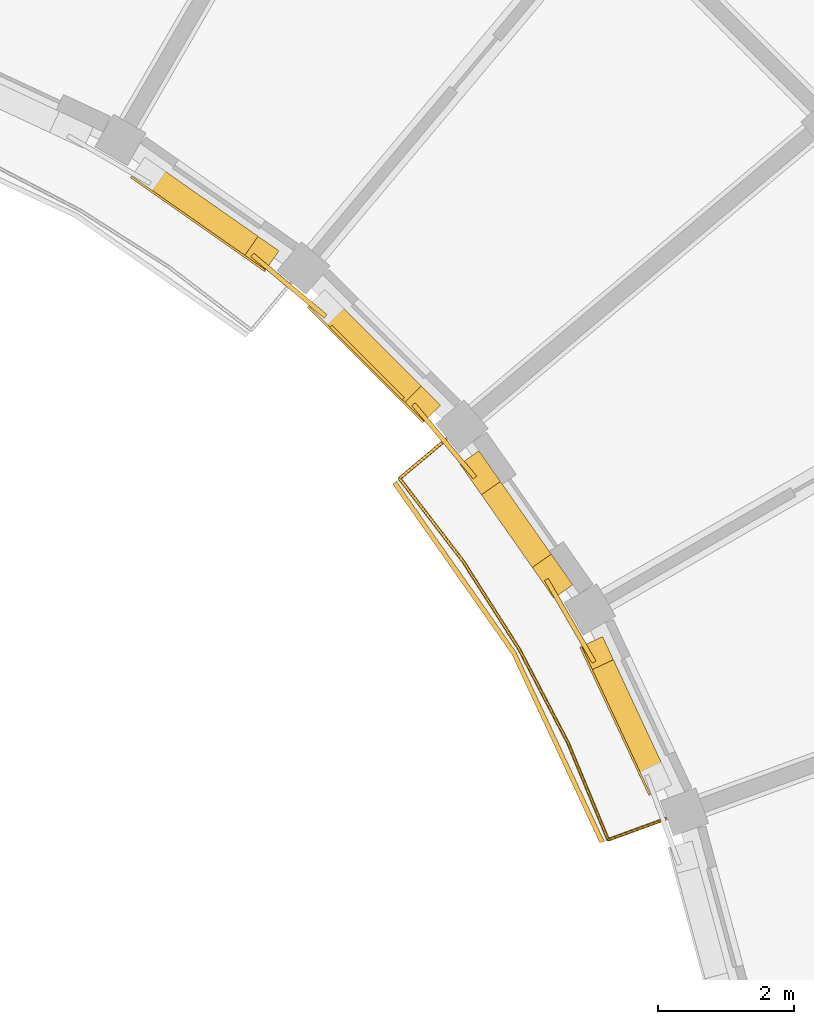
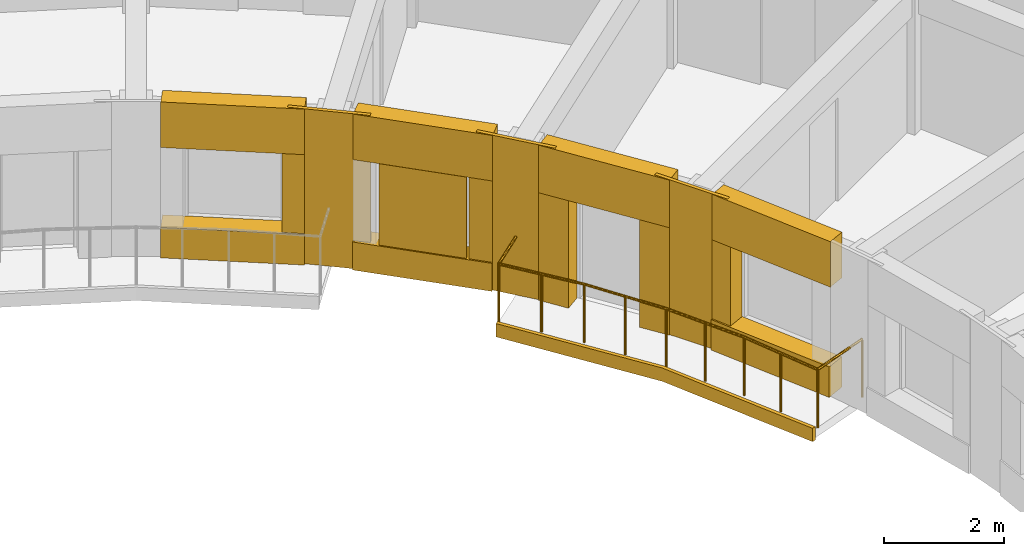
# One storey, part 51 of 53: 16 coverings, 1 railing, 1 shading device.
"""IFC4 building model written with IfcOpenShell, lengths in metres."""

from ifc_helpers import new_model, si_unit, direction, frame, origin, origin_2d, place, context, subcontext, project, spatial, polyline, rectangle, circle, outline, extrude, material, layer, layer_set, type_object, element, save


model = new_model("IFC4")

# Units and contexts
model_context = context("Model", 3, precision=1e-05, world=origin(), true_north=direction((0.0, 1.0)))
body_context = subcontext(model_context, "Body", "Model", "MODEL_VIEW")
ifc_project = project(units=[si_unit("LENGTHUNIT", "METRE"), si_unit("AREAUNIT", "SQUARE_METRE"), si_unit("VOLUMEUNIT", "CUBIC_METRE"), si_unit("PLANEANGLEUNIT", "RADIAN"), si_unit("MASSUNIT", "GRAM", prefix="KILO")], contexts=[model_context])

# Site, building, storey
site_placement = place(None, origin())
site = spatial("IfcSite", under=ifc_project, at=site_placement, CompositionType="ELEMENT")
building_placement = place(site_placement, origin())
building = spatial("IfcBuilding", under=site, at=building_placement, Name="Kiranvali Square Residences", CompositionType="ELEMENT")
storey_placement = place(building_placement, frame((0.0, 0.0, 30.75)))
storey = spatial("IfcBuildingStorey", under=building, at=storey_placement, Name="L09", CompositionType="ELEMENT", Elevation=30.75)

# Coverings
ifc_material_1 = material(Name="Carved Porbandar limestone classical entablature and cornice", Category="masonry")
ifc_layer_1 = layer(ifc_material_1, 0.06201171875)
ifc_layer_set_1 = layer_set([ifc_layer_1], Name="Carved Porbandar limestone classical entablature and cornice")
covering_type_1 = type_object("IfcCoveringType", Name="COV-CLAD-GBAL", PredefinedType="CLADDING", material=ifc_layer_set_1)
covering_1_placement = place(storey_placement, frame((0.0, 0.0, -0.219970703125)))
element("IfcCovering", 1, at=covering_1_placement, inside=storey, type_object=covering_type_1, Name="Block B L09 garden balcony limestone fascia 2", PredefinedType="CLADDING", context=body_context, shape_type="SweptSolid", body=[
    extrude(outline(polyline([(133.1904296875, 99.035888671875), (134.938232421875, 96.5400390625), (136.225830078125, 93.778564453125), (136.289794921875, 93.8017578125), (134.9970703125, 96.573974609375), (133.242431640625, 99.07958984375), (133.1904296875, 99.035888671875)])), origin(), (0.0, 0.0, 1.0), 0.27001953125),
])
ifc_material_2 = material(Name="Honed Porbandar limestone ashlar facade cladding", Category="masonry")
ifc_layer_2 = layer(ifc_material_2, 0.3798828125)
ifc_layer_set_2 = layer_set([ifc_layer_2], Name="Honed Porbandar limestone ashlar facade cladding")
covering_type_2 = type_object("IfcCoveringType", Name="COV-CLAD-JAMB", PredefinedType="CLADDING", material=ifc_layer_set_2)
covering_2_placement = place(storey_placement, frame((0.0, 0.0, 0.6220703125)))
element("IfcCovering", 2, at=covering_2_placement, inside=storey, type_object=covering_type_2, Name="L09 deep limestone window jamb reveal B-L09-GDN-03.R", PredefinedType="CLADDING", context=body_context, shape_type="SweptSolid", body=[
    extrude(outline(polyline([(131.02294921875, 102.3896484375), (131.328857421875, 102.175537109375), (131.523681640625, 102.45361328125), (131.2177734375, 102.66796875), (131.02294921875, 102.3896484375)])), origin(), (0.0, 0.0, 1.0), 1.599853515625),
])
covering_3_placement = place(storey_placement, frame((0.0, 0.0, 0.572021484375)))
element("IfcCovering", 3, at=covering_3_placement, inside=storey, type_object=covering_type_2, Name="L09 deep limestone window jamb reveal B-L09-GDN-04.R", PredefinedType="CLADDING", context=body_context, shape_type="SweptSolid", body=[
    extrude(outline(polyline([(133.368408203125, 100.23681640625), (133.650146484375, 99.955078125), (133.89013671875, 100.195068359375), (133.6083984375, 100.47705078125), (133.368408203125, 100.23681640625)])), origin(), (0.0, 0.0, 1.0), 1.64990234375),
])
covering_4_placement = place(storey_placement, origin())
element("IfcCovering", 4, at=covering_4_placement, inside=storey, type_object=covering_type_2, Name="L09 deep limestone window jamb reveal B-L09-GDN-05.L", PredefinedType="CLADDING", context=body_context, shape_type="SweptSolid", body=[
    extrude(outline(polyline([(134.175537109375, 99.328857421875), (134.490234375, 98.879638671875), (134.768310546875, 99.074462890625), (134.45361328125, 99.523681640625), (134.175537109375, 99.328857421875)])), origin(), (0.0, 0.0, 1.0), 2.179931640625),
])
covering_5_placement = place(storey_placement, origin())
element("IfcCovering", 5, at=covering_5_placement, inside=storey, type_object=covering_type_2, Name="L09 deep limestone window jamb reveal B-L09-GDN-05.R", PredefinedType="CLADDING", context=body_context, shape_type="SweptSolid", body=[
    extrude(outline(polyline([(135.23583984375, 97.814697265625), (135.55029296875, 97.365478515625), (135.828369140625, 97.56005859375), (135.513916015625, 98.009521484375), (135.23583984375, 97.814697265625)])), origin(), (0.0, 0.0, 1.0), 2.179931640625),
])
covering_6_placement = place(storey_placement, frame((0.0, 0.0, 0.6220703125)))
element("IfcCovering", 6, at=covering_6_placement, inside=storey, type_object=covering_type_2, Name="L09 deep limestone window jamb reveal B-L09-GDN-06.L", PredefinedType="CLADDING", context=body_context, shape_type="SweptSolid", body=[
    extrude(outline(polyline([(135.958984375, 96.657470703125), (136.116943359375, 96.319091796875), (136.424560546875, 96.46240234375), (136.266845703125, 96.801025390625), (135.958984375, 96.657470703125)])), origin(), (0.0, 0.0, 1.0), 1.599853515625),
])
ifc_layer_3 = layer(ifc_material_2, 0.050048828125)
ifc_layer_set_3 = layer_set([ifc_layer_3], Name="Honed Porbandar limestone ashlar facade cladding")
covering_type_3 = type_object("IfcCoveringType", Name="COV-CLAD-PIER-IN", PredefinedType="CLADDING", material=ifc_layer_set_3)
covering_7_placement = place(storey_placement, frame((0.0, 0.0, 0.0048828125)))
element("IfcCovering", 7, at=covering_7_placement, inside=storey, type_object=covering_type_3, Name="L09 Classical garden courtyard pilaster CLAD-PRIN-B-L09-A04", PredefinedType="CLADDING", context=body_context, shape_type="SweptSolid", body=[
    extrude(outline(polyline([(131.111572265625, 102.36962890625), (132.18408203125, 101.4697265625), (132.2275390625, 101.521484375), (131.155029296875, 102.42138671875), (131.111572265625, 102.36962890625)])), origin(), (0.0, 0.0, 1.0), 3.14013671875),
])
covering_8_placement = place(storey_placement, frame((0.0, 0.0, 0.0048828125)))
element("IfcCovering", 8, at=covering_8_placement, inside=storey, type_object=covering_type_3, Name="L09 Classical garden courtyard pilaster CLAD-PRIN-B-L09-A05", PredefinedType="CLADDING", context=body_context, shape_type="SweptSolid", body=[
    extrude(outline(polyline([(133.4697265625, 100.18408203125), (134.36962890625, 99.111572265625), (134.42138671875, 99.155029296875), (133.521484375, 100.2275390625), (133.4697265625, 100.18408203125)])), origin(), (0.0, 0.0, 1.0), 3.14013671875),
])
covering_9_placement = place(storey_placement, frame((0.0, 0.0, 0.0048828125)))
element("IfcCovering", 9, at=covering_9_placement, inside=storey, type_object=covering_type_3, Name="L09 Classical garden courtyard pilaster CLAD-PRIN-B-L09-A06", PredefinedType="CLADDING", context=body_context, shape_type="SweptSolid", body=[
    extrude(outline(polyline([(135.41259765625, 97.622314453125), (136.112548828125, 96.40966796875), (136.171142578125, 96.443603515625), (135.470947265625, 97.656005859375), (135.41259765625, 97.622314453125)])), origin(), (0.0, 0.0, 1.0), 3.14013671875),
])
ifc_layer_4 = layer(ifc_material_2, 0.360107421875)
ifc_layer_set_4 = layer_set([ifc_layer_4], Name="Honed Porbandar limestone ashlar facade cladding")
covering_type_4 = type_object("IfcCoveringType", Name="COV-CLAD-WALL", PredefinedType="CLADDING", material=ifc_layer_set_4)
covering_10_placement = place(storey_placement, frame((0.0, 0.0, 2.221923828125)))
element("IfcCovering", 10, at=covering_10_placement, inside=storey, type_object=covering_type_4, Name="L09 light limestone spandrel lintel B-L09-GDN-03", PredefinedType="CLADDING", context=body_context, shape_type="SweptSolid", body=[
    extrude(outline(polyline([(129.365478515625, 103.55029296875), (131.328857421875, 102.175537109375), (131.523681640625, 102.45361328125), (129.56005859375, 103.828369140625), (129.365478515625, 103.55029296875)])), origin(), (0.0, 0.0, 1.0), 0.923095703125),
])
covering_11_placement = place(storey_placement, frame((0.0, 0.0, 2.221923828125)))
element("IfcCovering", 11, at=covering_11_placement, inside=storey, type_object=covering_type_4, Name="L09 light limestone spandrel lintel B-L09-GDN-04", PredefinedType="CLADDING", context=body_context, shape_type="SweptSolid", body=[
    extrude(outline(polyline([(131.955078125, 101.650146484375), (133.650146484375, 99.955078125), (133.89013671875, 100.195068359375), (132.195068359375, 101.89013671875), (131.955078125, 101.650146484375)])), origin(), (0.0, 0.0, 1.0), 0.923095703125),
])
covering_12_placement = place(storey_placement, frame((0.0, 0.0, 2.179931640625)))
element("IfcCovering", 12, at=covering_12_placement, inside=storey, type_object=covering_type_4, Name="L09 light limestone spandrel lintel B-L09-GDN-05", PredefinedType="CLADDING", context=body_context, shape_type="SweptSolid", body=[
    extrude(outline(polyline([(134.175537109375, 99.328857421875), (135.55029296875, 97.365478515625), (135.828369140625, 97.56005859375), (134.45361328125, 99.523681640625), (134.175537109375, 99.328857421875)])), origin(), (0.0, 0.0, 1.0), 0.965087890625),
])
covering_13_placement = place(storey_placement, frame((0.0, 0.0, 2.221923828125)))
element("IfcCovering", 13, at=covering_13_placement, inside=storey, type_object=covering_type_4, Name="L09 light limestone spandrel lintel B-L09-GDN-06", PredefinedType="CLADDING", context=body_context, shape_type="SweptSolid", body=[
    extrude(outline(polyline([(135.958984375, 96.657470703125), (136.97216796875, 94.485107421875), (137.27978515625, 94.62841796875), (136.266845703125, 96.801025390625), (135.958984375, 96.657470703125)])), origin(), (0.0, 0.0, 1.0), 0.923095703125),
])
ifc_layer_5 = layer(ifc_material_2, 0.2900390625)
ifc_layer_set_5 = layer_set([ifc_layer_5], Name="Honed Porbandar limestone ashlar facade cladding")
covering_type_5 = type_object("IfcCoveringType", Name="COV-CLAD-WALL-IN", PredefinedType="CLADDING", material=ifc_layer_set_5)
covering_14_placement = place(storey_placement, frame((0.0, 0.0, 0.0048828125)))
element("IfcCovering", 14, at=covering_14_placement, inside=storey, type_object=covering_type_5, Name="L09 limestone window sill apron B-L09-GDN-03", PredefinedType="CLADDING", context=body_context, shape_type="SweptSolid", body=[
    extrude(outline(polyline([(129.34814453125, 103.52587890625), (131.311767578125, 102.15087890625), (131.523681640625, 102.45361328125), (129.56005859375, 103.828369140625), (129.34814453125, 103.52587890625)])), origin(), (0.0, 0.0, 1.0), 0.6171875),
])
covering_15_placement = place(storey_placement, frame((0.0, 0.0, 0.0048828125)))
element("IfcCovering", 15, at=covering_15_placement, inside=storey, type_object=covering_type_5, Name="L09 limestone window sill apron B-L09-GDN-04", PredefinedType="CLADDING", context=body_context, shape_type="SweptSolid", body=[
    extrude(outline(polyline([(131.933837890625, 101.62890625), (133.62890625, 99.933837890625), (133.89013671875, 100.195068359375), (132.195068359375, 101.89013671875), (131.933837890625, 101.62890625)])), origin(), (0.0, 0.0, 1.0), 0.567138671875),
])
covering_16_placement = place(storey_placement, frame((0.0, 0.0, 0.0048828125)))
element("IfcCovering", 16, at=covering_16_placement, inside=storey, type_object=covering_type_5, Name="L09 limestone window sill apron B-L09-GDN-06", PredefinedType="CLADDING", context=body_context, shape_type="SweptSolid", body=[
    extrude(outline(polyline([(135.931884765625, 96.644775390625), (136.94482421875, 94.472412109375), (137.27978515625, 94.62841796875), (136.266845703125, 96.801025390625), (135.931884765625, 96.644775390625)])), origin(), (0.0, 0.0, 1.0), 0.6171875),
])

# Railing
ifc_material_3 = material(Name="Powder-coated architectural bronze balustrade", Category="steel")
railing_type = type_object("IfcRailingType", Name="RL-BAL-GOLD-1200", PredefinedType="BALUSTRADE", material=ifc_material_3)
railing_placement = place(storey_placement, frame((134.1708984375, 99.858642578125, 0.0)))
element("IfcRailing", 17, at=railing_placement, inside=storey, type_object=railing_type, Name="Block B L09 garden balcony gold balustrade 2", PredefinedType="BALUSTRADE", context=body_context, shape_type="SweptSolid", body=[
    extrude(circle(Radius=0.02392578125, at=origin_2d()), frame((0.0, 0.0, 1.17578125), z_axis=(-0.765989188314, -0.642853454051, 0.0), x_axis=(0.642853454051, -0.765989188314, 0.0)), (0.0, 0.0, 1.0), 1.14990234375),
    extrude(circle(Radius=0.02392578125, at=origin_2d()), frame((-0.880859375, -0.7392578125, 1.17578125), z_axis=(0.608811807471, -0.793314680996, 0.0), x_axis=(0.793314680996, 0.608811807471, 0.0)), (0.0, 0.0, 1.0), 1.536376953125),
    extrude(circle(Radius=0.02392578125, at=origin_2d()), frame((0.054443359375, -1.9580078125, 1.17578125), z_axis=(0.537307309343, -0.843386539688, 0.0), x_axis=(0.843386539688, 0.537307309343, 0.0)), (0.0, 0.0, 1.0), 1.5361328125),
    extrude(circle(Radius=0.02392578125, at=origin_2d()), frame((0.8798828125, -3.253662109375, 1.17578125), z_axis=(0.461713009976, -0.887029366154, 0.0), x_axis=(0.887029366154, 0.461713009976, 0.0)), (0.0, 0.0, 1.0), 1.5361328125),
    extrude(circle(Radius=0.02392578125, at=origin_2d()), frame((1.589111328125, -4.6162109375, 1.17578125), z_axis=(0.382651197843, -0.923892883829, 0.0), x_axis=(0.923892883829, 0.382651197843, 0.0)), (0.0, 0.0, 1.0), 1.536376953125),
    extrude(circle(Radius=0.02392578125, at=origin_2d()), frame((2.177001953125, -6.03564453125, 1.17578125), z_axis=(0.939712828289, 0.341964618562, 0.0), x_axis=(-0.341964618562, 0.939712828289, 0.0)), (0.0, 0.0, 1.0), 1.150146484375),
    extrude(circle(Radius=0.02099609375, at=origin_2d()), origin(), (0.0, 0.0, 1.0), 1.15185546875),
    extrude(circle(Radius=0.02099609375, at=origin_2d()), frame((-0.880859375, -0.7392578125, 0.0)), (0.0, 0.0, 1.0), 1.15185546875),
    extrude(circle(Radius=0.02099609375, at=origin_2d()), frame((-0.4130859375, -1.3486328125, 0.0)), (0.0, 0.0, 1.0), 1.15185546875),
    extrude(circle(Radius=0.02099609375, at=origin_2d()), frame((0.054443359375, -1.9580078125, 0.0)), (0.0, 0.0, 1.0), 1.15185546875),
    extrude(circle(Radius=0.02099609375, at=origin_2d()), frame((0.46728515625, -2.60595703125, 0.0)), (0.0, 0.0, 1.0), 1.15185546875),
    extrude(circle(Radius=0.02099609375, at=origin_2d()), frame((0.8798828125, -3.253662109375, 0.0)), (0.0, 0.0, 1.0), 1.15185546875),
    extrude(circle(Radius=0.02099609375, at=origin_2d()), frame((1.234375, -3.93505859375, 0.0)), (0.0, 0.0, 1.0), 1.15185546875),
    extrude(circle(Radius=0.02099609375, at=origin_2d()), frame((1.589111328125, -4.6162109375, 0.0)), (0.0, 0.0, 1.0), 1.15185546875),
    extrude(circle(Radius=0.02099609375, at=origin_2d()), frame((1.883056640625, -5.325927734375, 0.0)), (0.0, 0.0, 1.0), 1.15185546875),
    extrude(circle(Radius=0.02099609375, at=origin_2d()), frame((2.177001953125, -6.03564453125, 0.0)), (0.0, 0.0, 1.0), 1.15185546875),
    extrude(circle(Radius=0.02099609375, at=origin_2d()), frame((3.2578125, -5.642333984375, 0.0)), (0.0, 0.0, 1.0), 1.15185546875),
])

# Shading device
ifc_material_4 = material(Name="Pierced buff sandstone architectural mashrabiya solar screen", Category="masonry")
shading_device_type = type_object("IfcShadingDeviceType", Name="SHD-JALI-1600", PredefinedType="JALOUSIE", material=ifc_material_4)
shading_device_placement = place(storey_placement, frame((132.816650390625, 100.816650390625, 0.572021484375), z_axis=(0.0, 0.0, 1.0), x_axis=(0.707106781187, -0.707106781187, 0.0)))
element("IfcShadingDevice", 18, at=shading_device_placement, inside=storey, type_object=shading_device_type, Name="L09 carved stone Mashrabiya screen B-L09-GDN-04", PredefinedType="JALOUSIE", context=body_context, shape_type="SweptSolid", body=[
    extrude(rectangle(XDim=1.5, YDim=0.044921875, at=origin_2d()), origin(), (0.0, 0.0, 1.0), 1.64990234375),
])

save(model, "model.ifc")
